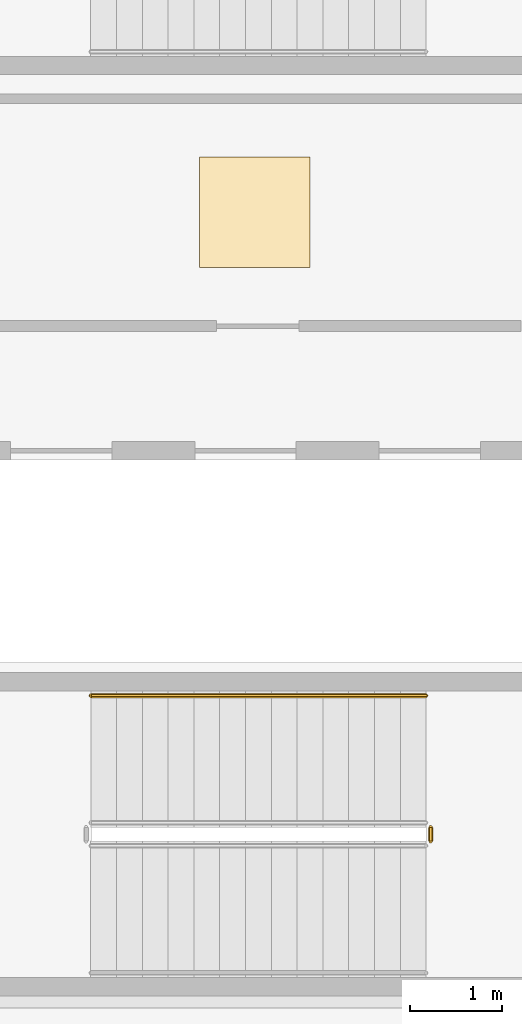
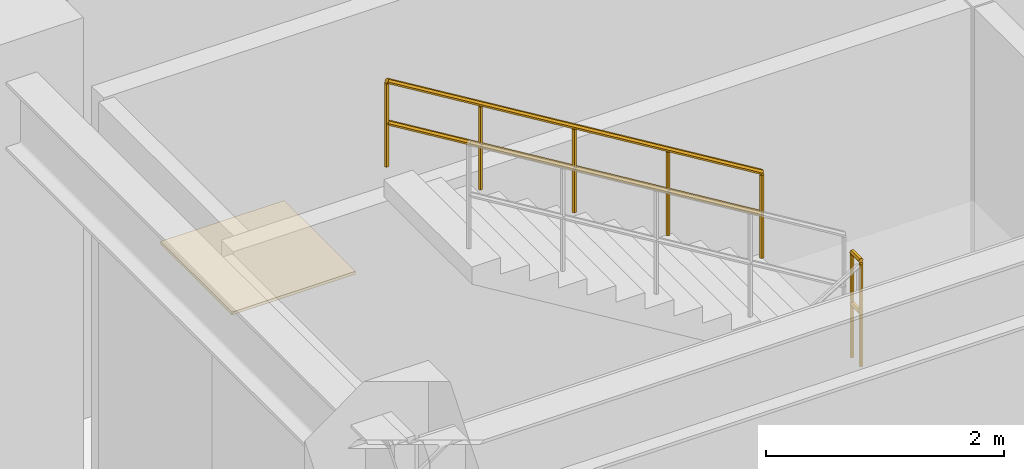
# One storey, part 26 of 28: 2 railings, 1 covering.
"""IFC4 building model written with IfcOpenShell, lengths in metres."""

from ifc_helpers import new_model, si_unit, direction, frame, origin, origin_2d, place, context, subcontext, project, spatial, polyline, rectangle, outline, extrude, source, transform, mapped, material, layer, layer_set, type_object, element, save


model = new_model("IFC4")

# Units and contexts
model_context = context("Model", 3, precision=1e-05, world=origin(), true_north=direction((0.0, 1.0)))
body_context = subcontext(model_context, "Body", "Model", "MODEL_VIEW")
ifc_project = project(units=[si_unit("LENGTHUNIT", "METRE"), si_unit("AREAUNIT", "SQUARE_METRE"), si_unit("VOLUMEUNIT", "CUBIC_METRE"), si_unit("PLANEANGLEUNIT", "RADIAN"), si_unit("MASSUNIT", "GRAM", prefix="KILO")], contexts=[model_context])

# Site, building, storey
site_placement = place(None, origin())
site = spatial("IfcSite", under=ifc_project, at=site_placement, CompositionType="ELEMENT")
building_placement = place(site_placement, origin())
building = spatial("IfcBuilding", under=site, at=building_placement, Name="Kelanora Arch Commons", CompositionType="ELEMENT")
storey_placement = place(building_placement, frame((0.0, 0.0, 184.35009765625)))
storey = spatial("IfcBuildingStorey", under=building, at=storey_placement, Name="L47", CompositionType="ELEMENT", Elevation=184.35009765625)

# Railings
ifc_material_1 = material(Name="Painted steel stair well guard", Category="steel")
railing_type_1 = type_object("IfcRailingType", Name="RAIL-STAIR-GRD", PredefinedType="GUARDRAIL", material=ifc_material_1)
railing_1_placement = place(storey_placement, frame((71.409912109375, 52.659912109375, 2.3798828125)))
element("IfcRailing", 1, at=railing_1_placement, inside=storey, type_object=railing_type_1, Name="L47 ST-T3 stair guard 2", PredefinedType="GUARDRAIL", context=body_context, shape_type="SweptSolid", body=[
    extrude(outline(polyline([(0.02392578125, 0.0), (0.011962890625, 0.020751953125), (-0.011962890625, 0.020751953125), (-0.02392578125, 0.0), (-0.011962890625, -0.020751953125), (0.011962890625, -0.020751953125), (0.02392578125, 0.0)])), frame((0.0, 0.0, 1.076171875), z_axis=(0.0, 1.0, 0.0), x_axis=(-1.0, 0.0, 0.0)), (0.0, 0.0, 1.0), 0.150146484375),
    extrude(outline(polyline([(0.02392578125, 0.0), (0.011962890625, 0.020751953125), (-0.011962890625, 0.020751953125), (-0.02392578125, 0.0), (-0.011962890625, -0.020751953125), (0.011962890625, -0.020751953125), (0.02392578125, 0.0)])), frame((0.0, 0.0, 0.550048828125), z_axis=(0.0, 1.0, 0.0), x_axis=(-1.0, 0.0, 0.0)), (0.0, 0.0, 1.0), 0.150146484375),
    extrude(outline(polyline([(0.02099609375, 0.0), (0.010498046875, 0.01806640625), (-0.010498046875, 0.01806640625), (-0.02099609375, 0.0), (-0.010498046875, -0.01806640625), (0.010498046875, -0.01806640625), (0.02099609375, 0.0)])), origin(), (0.0, 0.0, 1.0), 1.052001953125),
    extrude(outline(polyline([(0.02099609375, 0.0), (0.010498046875, 0.01806640625), (-0.010498046875, 0.01806640625), (-0.02099609375, 0.0), (-0.010498046875, -0.01806640625), (0.010498046875, -0.01806640625), (0.02099609375, 0.0)])), frame((0.0, 0.150146484375, 0.0)), (0.0, 0.0, 1.0), 1.052001953125),
])
ifc_material_2 = material(Name="Brushed stainless steel stair handrail", Category="steel")
railing_type_2 = type_object("IfcRailingType", Name="RAIL-STAIR-HND", PredefinedType="HANDRAIL", material=ifc_material_2)
railing_2_placement = place(storey_placement, frame((71.360107421875, 54.239990234375, 2.5498046875)))
element("IfcRailing", 2, at=railing_2_placement, inside=storey, type_object=railing_type_2, Name="L47 ST-T3 stair handrail 2", PredefinedType="HANDRAIL", context=body_context, shape_type="SweptSolid", body=[
    extrude(outline(polyline([(0.02392578125, 0.0), (0.011962890625, 0.020751953125), (-0.011962890625, 0.020751953125), (-0.02392578125, 0.0), (-0.011962890625, -0.020751953125), (0.011962890625, -0.020751953125), (0.02392578125, 0.0)])), frame((0.0, 0.0, 0.8759765625), z_axis=(-0.854774798942, 0.0, 0.518999078124), x_axis=(0.0, -1.0, 0.0)), (0.0, 0.0, 1.0), 4.258544921875),
    extrude(outline(polyline([(0.02392578125, 0.0), (0.011962890625, 0.020751953125), (-0.011962890625, 0.020751953125), (-0.02392578125, 0.0), (-0.011962890625, -0.020751953125), (0.011962890625, -0.020751953125), (0.02392578125, 0.0)])), frame((0.0, 0.0, 0.449951171875), z_axis=(-0.854774798942, 0.0, 0.518999078124), x_axis=(0.0, -1.0, 0.0)), (0.0, 0.0, 1.0), 4.258544921875),
    extrude(outline(polyline([(0.02099609375, 0.0), (0.010498046875, 0.01806640625), (-0.010498046875, 0.01806640625), (-0.02099609375, 0.0), (-0.010498046875, -0.01806640625), (0.010498046875, -0.01806640625), (0.02099609375, 0.0)])), origin(), (0.0, 0.0, 1.0), 0.851806640625),
    extrude(outline(polyline([(0.02099609375, 0.0), (0.010498046875, 0.01806640625), (-0.010498046875, 0.01806640625), (-0.02099609375, 0.0), (-0.010498046875, -0.01806640625), (0.010498046875, -0.01806640625), (0.02099609375, 0.0)])), frame((-0.91015625, 0.0, 0.552490234375)), (0.0, 0.0, 1.0), 0.851806640625),
    extrude(outline(polyline([(0.02099609375, 0.0), (0.010498046875, 0.01806640625), (-0.010498046875, 0.01806640625), (-0.02099609375, 0.0), (-0.010498046875, -0.01806640625), (0.010498046875, -0.01806640625), (0.02099609375, 0.0)])), frame((-1.820068359375, 0.0, 1.10498046875)), (0.0, 0.0, 1.0), 0.851806640625),
    extrude(outline(polyline([(0.02099609375, 0.0), (0.010498046875, 0.01806640625), (-0.010498046875, 0.01806640625), (-0.02099609375, 0.0), (-0.010498046875, -0.01806640625), (0.010498046875, -0.01806640625), (0.02099609375, 0.0)])), frame((-2.72998046875, 0.0, 1.65771484375)), (0.0, 0.0, 1.0), 0.851806640625),
    extrude(outline(polyline([(0.02099609375, 0.0), (0.010498046875, 0.01806640625), (-0.010498046875, 0.01806640625), (-0.02099609375, 0.0), (-0.010498046875, -0.01806640625), (0.010498046875, -0.01806640625), (0.02099609375, 0.0)])), frame((-3.64013671875, 0.0, 2.210205078125)), (0.0, 0.0, 1.0), 0.851806640625),
])

# Covering
ifc_material_3 = material(Name="Polished local granite terrazzo flooring", Category="masonry")
ifc_layer = layer(ifc_material_3, 0.030029296875)
ifc_layer_set = layer_set([ifc_layer], Name="Polished local granite terrazzo flooring")
covering_type = type_object("IfcCoveringType", Name="COV-FLR-TER", PredefinedType="FLOORING", material=ifc_layer_set)
shared_shape = source(origin(), body_context, "Body", "SweptSolid", [
    extrude(rectangle(XDim=1.199951171875, YDim=1.199951171875, at=origin_2d()), origin(), (0.0, 0.0, 1.0), 0.030029296875),
])
covering_placement = place(storey_placement, frame((69.5, 59.485107421875, 0.0), z_axis=(0.0, 0.0, 1.0), x_axis=(1.0, 0.0, 0.0)))
element("IfcCovering", 3, at=covering_placement, inside=storey, type_object=covering_type, Name="Reclaimed Core Study Pod Lounge L47 Terrazzo Finish", PredefinedType="FLOORING", context=body_context, shape_type="MappedRepresentation", body=[
    mapped(shared_shape, transform((0.0, 0.0, 0.0), scale=1.0)),
])

save(model, "model.ifc")
